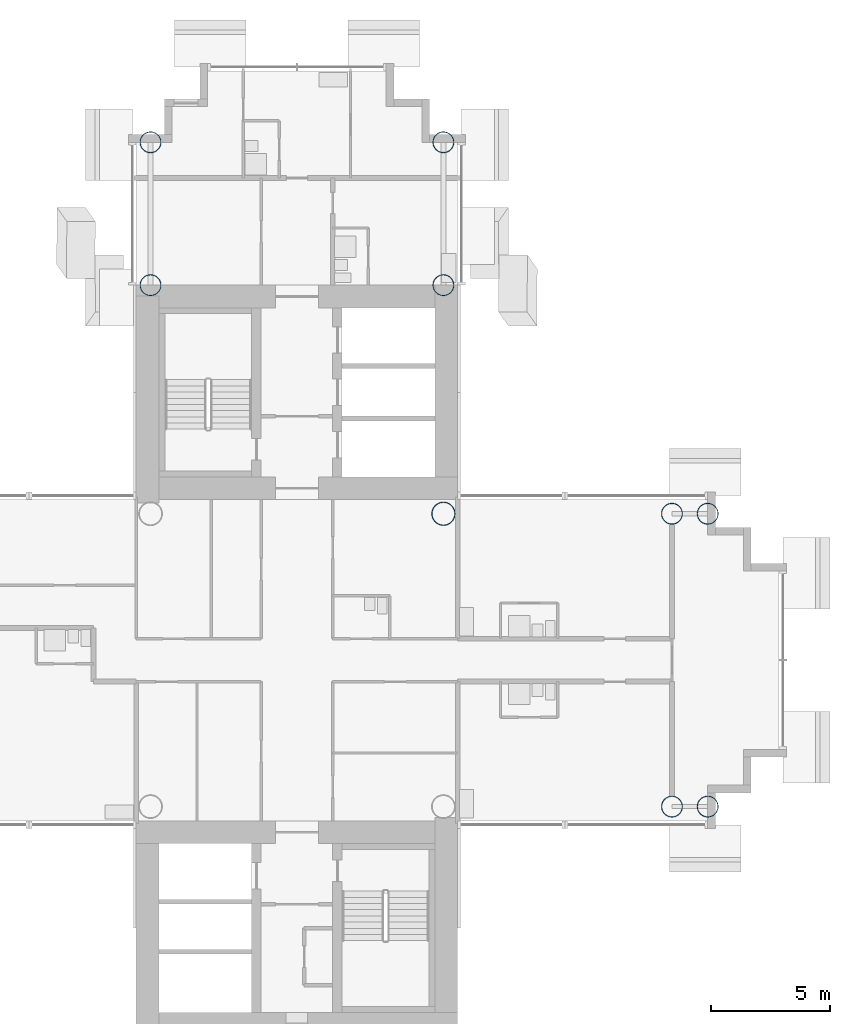
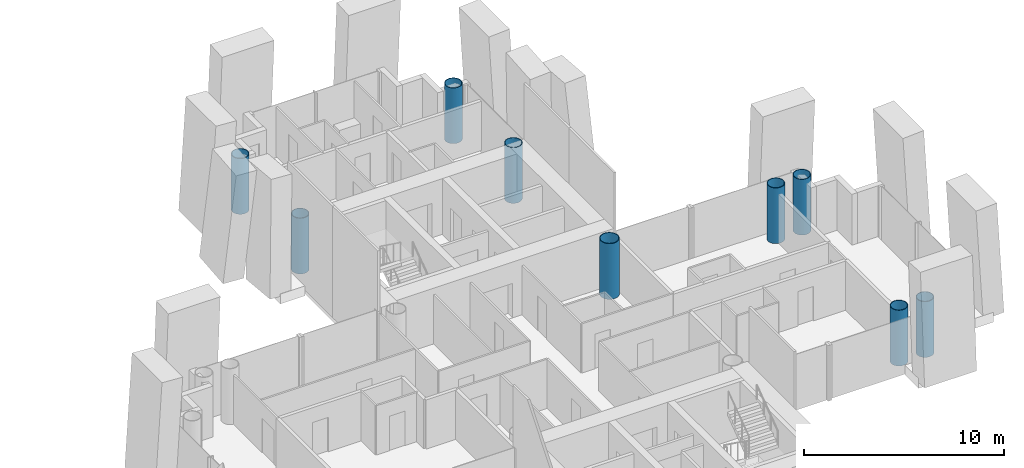
# One storey, part 2 of 21: 9 columns.
"""IFC4 building model written with IfcOpenShell, lengths in metres."""

from ifc_helpers import new_model, si_unit, direction, frame, origin, origin_2d, place, context, subcontext, project, spatial, hollow_circle, extrude, material, material_profile, profile_set, type_object, element, save


model = new_model("IFC4")

# Units and contexts
model_context = context("Model", 3, precision=1e-05, world=origin(), true_north=direction((0.0, 1.0)))
body_context = subcontext(model_context, "Body", "Model", "MODEL_VIEW")
ifc_project = project(units=[si_unit("LENGTHUNIT", "METRE"), si_unit("AREAUNIT", "SQUARE_METRE"), si_unit("VOLUMEUNIT", "CUBIC_METRE"), si_unit("PLANEANGLEUNIT", "RADIAN"), si_unit("MASSUNIT", "GRAM", prefix="KILO")], contexts=[model_context])

# Site, building, storey
site_placement = place(None, origin())
site = spatial("IfcSite", under=ifc_project, at=site_placement, CompositionType="ELEMENT")
building_placement = place(site_placement, origin())
building = spatial("IfcBuilding", under=site, at=building_placement, Name="Ipe Terrace Towers", CompositionType="ELEMENT")
storey_placement = place(building_placement, frame((0.0, 0.0, 86.800048828125)))
storey = spatial("IfcBuildingStorey", under=building, at=storey_placement, Name="L23", CompositionType="ELEMENT", Elevation=86.800048828125)

# Columns
ifc_material_1 = material(Name="Steel S355 tube with Concrete C60/75 fill", Category="concrete")
ifc_material_profile_1 = material_profile(ifc_material_1, hollow_circle(Radius=0.5, WallThickness=0.035888671875, at=origin_2d()), Name="CHS-1000x36")
ifc_profile_set_1 = profile_set([ifc_material_profile_1], Name="Steel S355 tube with Concrete C60/75 fill")
column_type_1 = type_object("IfcColumnType", Name="CH01 COLUMN CHS-1000x36", PredefinedType="COLUMN", material=ifc_profile_set_1)
column_placement = place(storey_placement, frame((42.14990234375, 6.14990234375, 0.0), z_axis=(0.0, 0.0, 1.0), x_axis=(1.0, 0.0, 0.0)))
element("IfcColumn", 1, at=column_placement, inside=storey, type_object=column_type_1, Name="Column T2-C-E02", PredefinedType="COLUMN", context=body_context, shape_type="SweptSolid", body=[
    extrude(hollow_circle(Radius=0.5, WallThickness=0.035888671875, at=origin_2d()), origin(), (0.0, 0.0, 1.0), 3.39990234375),
])
ifc_material_2 = material(Name="Steel S355 tube with Concrete C60/75 fill", Category="concrete")
ifc_material_profile_2 = material_profile(ifc_material_2, hollow_circle(Radius=0.449951171875, WallThickness=0.031982421875, at=origin_2d()), Name="CHS-900x32")
ifc_profile_set_2 = profile_set([ifc_material_profile_2], Name="Steel S355 tube with Concrete C60/75 fill")
column_type_2 = type_object("IfcColumnType", Name="CH10 COLUMN CHS-900x32", PredefinedType="COLUMN", material=ifc_profile_set_2)
for number, where, z_axis, x_axis, name in (
    (2, (42.14990234375, 15.75, 0.0), (0.0, 0.0, 1.0), (1.0, 0.0, 0.0), "Column T2-C-A01"),
    (3, (29.85009765625, 15.75, 0.0), (0.0, 0.0, 1.0), (1.0, 0.0, 0.0), "Column T2-C-A02"),
    (4, (42.14990234375, 21.75, 0.0), (0.0, 0.0, 1.0), (1.0, 0.0, 0.0), "Column T2-C-A03"),
    (5, (29.85009765625, 21.75, 0.0), (0.0, 0.0, 1.0), (1.0, 0.0, 0.0), "Column T2-C-A04"),
    (6, (51.75, -6.14990234375, 0.0), (0.0, 0.0, 1.0), (1.0, 0.0, 0.0), "Column T2-C-D03"),
    (7, (51.75, 6.14990234375, 0.0), (0.0, 0.0, 1.0), (1.0, 0.0, 0.0), "Column T2-C-D04"),
    (8, (53.25, -6.14990234375, 0.0), (0.0, 0.0, 1.0), (1.0, 0.0, 0.0), "Column T2-C-D05"),
    (9, (53.25, 6.14990234375, 0.0), (0.0, 0.0, 1.0), (1.0, 0.0, 0.0), "Column T2-C-D06"),
):
    element("IfcColumn", number, at=place(storey_placement, frame(where, z_axis=z_axis, x_axis=x_axis)), inside=storey, type_object=column_type_2, Name=name, PredefinedType="COLUMN", context=body_context, shape_type="SweptSolid", body=[
        extrude(hollow_circle(Radius=0.449951171875, WallThickness=0.031982421875, at=origin_2d()), origin(), (0.0, 0.0, 1.0), 3.39990234375),
    ])

save(model, "model.ifc")
